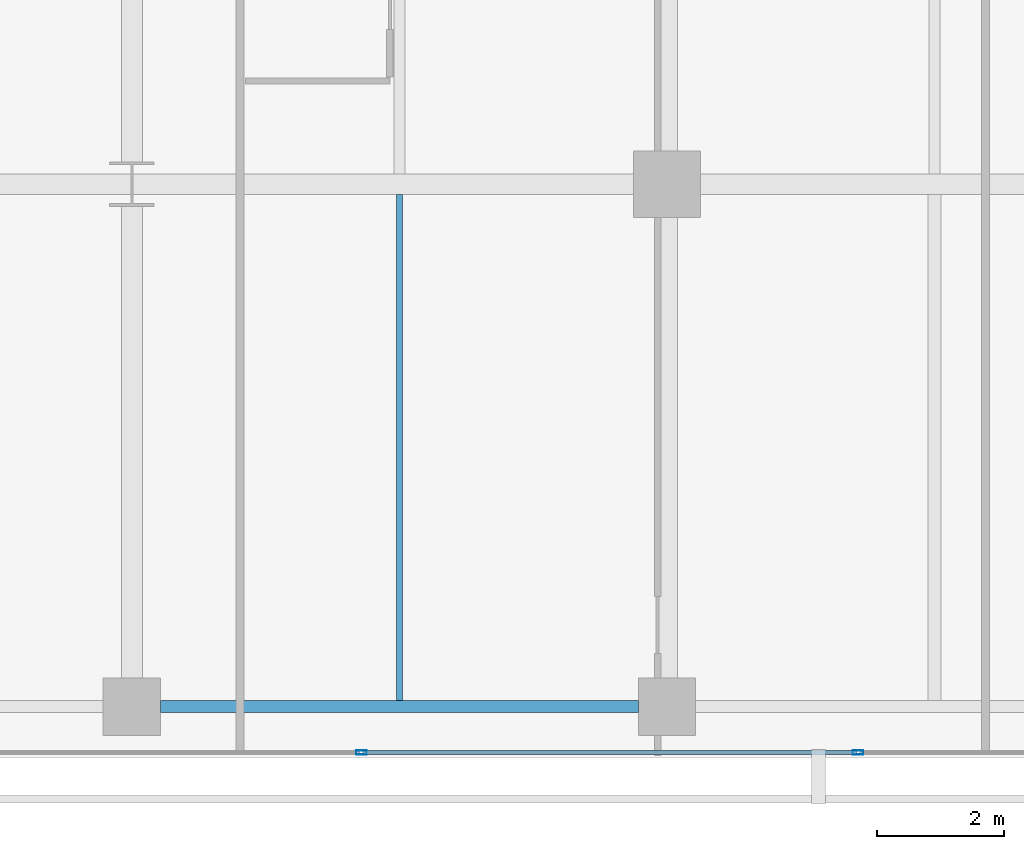
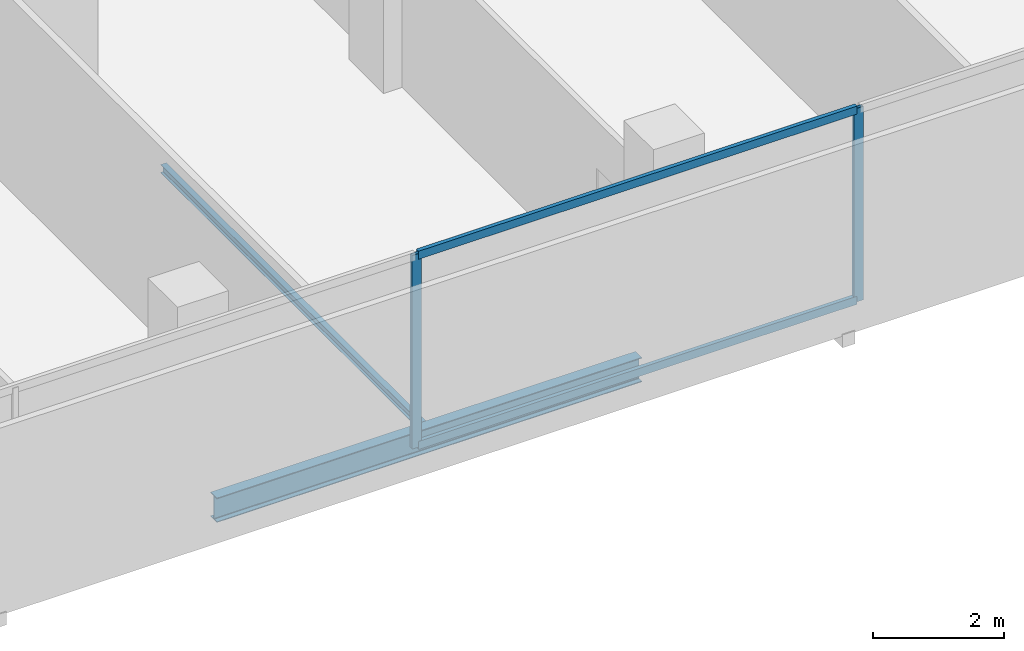
# One storey, part 14 of 39: 4 members, 2 beams, 1 element without a shape of its own.
"""IFC4 building model written with IfcOpenShell, lengths in metres."""

from ifc_helpers import new_model, si_unit, direction, frame, origin, origin_2d, place, context, subcontext, project, spatial, hollow_rectangle, i_section, extrude, material, layer, layer_set, material_profile, profile_set, type_object, element, aggregate, save


model = new_model("IFC4")

# Units and contexts
model_context = context("Model", 3, precision=1e-05, world=origin(), true_north=direction((0.0, 1.0)))
body_context = subcontext(model_context, "Body", "Model", "MODEL_VIEW")
ifc_project = project(units=[si_unit("LENGTHUNIT", "METRE"), si_unit("AREAUNIT", "SQUARE_METRE"), si_unit("VOLUMEUNIT", "CUBIC_METRE"), si_unit("PLANEANGLEUNIT", "RADIAN"), si_unit("MASSUNIT", "GRAM", prefix="KILO")], contexts=[model_context])

# Site, building, storey
site_placement = place(None, origin())
site = spatial("IfcSite", under=ifc_project, at=site_placement, CompositionType="ELEMENT")
building_placement = place(site_placement, origin())
building = spatial("IfcBuilding", under=site, at=building_placement, Name="Maruvema Waterfront Hotel and Observation Tower", CompositionType="ELEMENT")
storey_placement = place(building_placement, frame((0.0, 0.0, 65.449951171875)))
storey = spatial("IfcBuildingStorey", under=building, at=storey_placement, Name="L15", CompositionType="ELEMENT", Elevation=65.449951171875)

# Curtain wall, members
ifc_material_1 = material(Name="Anodised bronze aluminium and solar-control low-E IGU", Category="aluminium")
ifc_layer = layer(ifc_material_1, 0.159912109375, Name="Zone 1 Bronze Inner Thermal Curtain Wall System CW-02")
ifc_layer_set = layer_set([ifc_layer], Name="Anodised bronze aluminium and solar-control low-E IGU")
curtain_wall_type = type_object("IfcCurtainWallType", Name="Zone 1 Bronze Inner Thermal Curtain Wall System CW-02", PredefinedType="USERDEFINED", material=ifc_layer_set)
curtain_wall_placement = place(storey_placement, origin())
curtain_wall = element("IfcCurtainWall", 1, at=curtain_wall_placement, inside=storey, type_object=curtain_wall_type, Name="L15 Curtain Wall CW-L15-S", ObjectType="UNITISED CURTAIN WALL", PredefinedType="USERDEFINED")
ifc_material_2 = material(Name="Anodised architectural bronze aluminium", Category="aluminium")
ifc_material_profile_1 = material_profile(ifc_material_2, hollow_rectangle(XDim=0.070068359375, YDim=0.14990234375, WallThickness=0.00390625, at=origin_2d()), Name="ALU-T70x150")
ifc_profile_set_1 = profile_set([ifc_material_profile_1], Name="Anodised architectural bronze aluminium")
member_type_1 = type_object("IfcMemberType", Name="Curtain Wall Horizontal Transom ALU-T70x150", PredefinedType="USERDEFINED", material=ifc_profile_set_1)
member_1_placement = place(storey_placement, frame((45.6298828125, 0.080078125, 0.030029296875), z_axis=(1.0, 0.0, 0.0), x_axis=(0.0, 1.0, 0.0)))
member_1 = element("IfcMember", 2, at=member_1_placement, type_object=member_type_1, Name="CW-02 transom 5.1", ObjectType="TRANSOM", PredefinedType="USERDEFINED", context=body_context, shape_type="SweptSolid", body=[
    extrude(hollow_rectangle(XDim=0.070068359375, YDim=0.14990234375, WallThickness=0.00390625, at=origin_2d()), origin(), (0.0, 0.0, 1.0), 7.740234375),
])
member_2_placement = place(storey_placement, frame((45.6298828125, 0.080078125, 3.580078125), z_axis=(1.0, 0.0, 0.0), x_axis=(0.0, 1.0, 0.0)))
member_2 = element("IfcMember", 3, at=member_2_placement, type_object=member_type_1, Name="CW-02 transom 5.2", ObjectType="TRANSOM", PredefinedType="USERDEFINED", context=body_context, shape_type="SweptSolid", body=[
    extrude(hollow_rectangle(XDim=0.070068359375, YDim=0.14990234375, WallThickness=0.00390625, at=origin_2d()), origin(), (0.0, 0.0, 1.0), 7.740234375),
])
ifc_material_3 = material(Name="Anodised architectural bronze aluminium", Category="aluminium")
ifc_material_profile_2 = material_profile(ifc_material_3, hollow_rectangle(XDim=0.06494140625, YDim=0.1650390625, WallThickness=0.00390625, at=origin_2d()), Name="ALU-M65x165")
ifc_profile_set_2 = profile_set([ifc_material_profile_2], Name="Anodised architectural bronze aluminium")
member_type_2 = type_object("IfcMemberType", Name="Curtain Wall Primary Mullion ALU-M65x165", PredefinedType="MULLION", material=ifc_profile_set_2)
member_3_placement = place(storey_placement, frame((45.60009765625, 0.080078125, 0.0), z_axis=(0.0, 0.0, 1.0), x_axis=(0.0, 1.0, 0.0)))
member_3 = element("IfcMember", 4, at=member_3_placement, type_object=member_type_2, Name="CW-02 mullion 5", PredefinedType="MULLION", context=body_context, shape_type="SweptSolid", body=[
    extrude(hollow_rectangle(XDim=0.06494140625, YDim=0.1650390625, WallThickness=0.00390625, at=origin_2d()), origin(), (0.0, 0.0, 1.0), 3.610107421875),
])
member_4_placement = place(storey_placement, frame((53.39990234375, 0.080078125, 0.0), z_axis=(0.0, 0.0, 1.0), x_axis=(0.0, 1.0, 0.0)))
member_4 = element("IfcMember", 5, at=member_4_placement, type_object=member_type_2, Name="CW-02 mullion 6", PredefinedType="MULLION", context=body_context, shape_type="SweptSolid", body=[
    extrude(hollow_rectangle(XDim=0.06494140625, YDim=0.1650390625, WallThickness=0.00390625, at=origin_2d()), origin(), (0.0, 0.0, 1.0), 3.610107421875),
])
aggregate(curtain_wall, [member_3, member_4, member_1, member_2])

# Beams
ifc_material_4 = material(Name="Steel ASTM A572 Grade 50", Category="steel")
ifc_material_profile_3 = material_profile(ifc_material_4, i_section(OverallWidth=0.18994140625, OverallDepth=0.45703125, WebThickness=0.009033203125, FlangeThickness=0.014404296875, FilletRadius=0.014892578125, at=origin_2d()), Name="W460x74.0")
ifc_profile_set_3 = profile_set([ifc_material_profile_3], Name="Steel ASTM A572 Grade 50")
beam_type_1 = type_object("IfcBeamType", Name="Perimeter Spandrel Beam W460x74.0", PredefinedType="SPANDREL", material=ifc_profile_set_3)
beam_1_placement = place(storey_placement, frame((42.449951171875, 0.800048828125, -0.468505859375), z_axis=(1.0, 0.0, 0.0), x_axis=(0.0, 1.0, 0.0)))
element("IfcBeam", 6, at=beam_1_placement, inside=storey, type_object=beam_type_1, Name="L15 Floor Girder EW-04", PredefinedType="SPANDREL", context=body_context, shape_type="SweptSolid", body=[
    extrude(i_section(OverallWidth=0.18994140625, OverallDepth=0.45703125, WebThickness=0.009033203125, FlangeThickness=0.014404296875, FilletRadius=0.014892578125, at=origin_2d()), origin(), (0.0, 0.0, 1.0), 7.5),
])
ifc_material_5 = material(Name="Steel ASTM A572 Grade 50", Category="steel")
ifc_material_profile_4 = material_profile(ifc_material_5, i_section(OverallWidth=0.10009765625, OverallDepth=0.153076171875, WebThickness=0.005859375, FlangeThickness=0.007080078125, FilletRadius=0.008056640625, at=origin_2d()), Name="W150x18.0")
ifc_profile_set_4 = profile_set([ifc_material_profile_4], Name="Steel ASTM A572 Grade 50")
beam_type_2 = type_object("IfcBeamType", Name="Secondary Floor Joist W150x18.0", PredefinedType="JOIST", material=ifc_profile_set_4)
beam_2_placement = place(storey_placement, frame((46.199951171875, 0.89501953125, -0.31640625), z_axis=(0.0, 1.0, 0.0), x_axis=(-1.0, 0.0, 0.0)))
element("IfcBeam", 7, at=beam_2_placement, inside=storey, type_object=beam_type_2, Name="L15 Secondary Floor Joist JS-14", PredefinedType="JOIST", context=body_context, shape_type="SweptSolid", body=[
    extrude(i_section(OverallWidth=0.10009765625, OverallDepth=0.153076171875, WebThickness=0.005859375, FlangeThickness=0.007080078125, FilletRadius=0.008056640625, at=origin_2d()), origin(), (0.0, 0.0, 1.0), 7.94140625),
])

save(model, "model.ifc")
